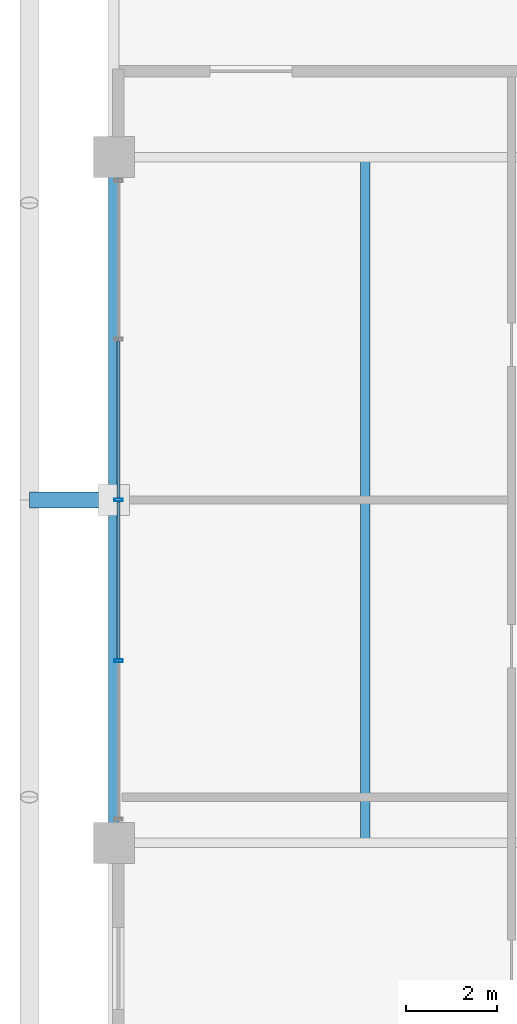
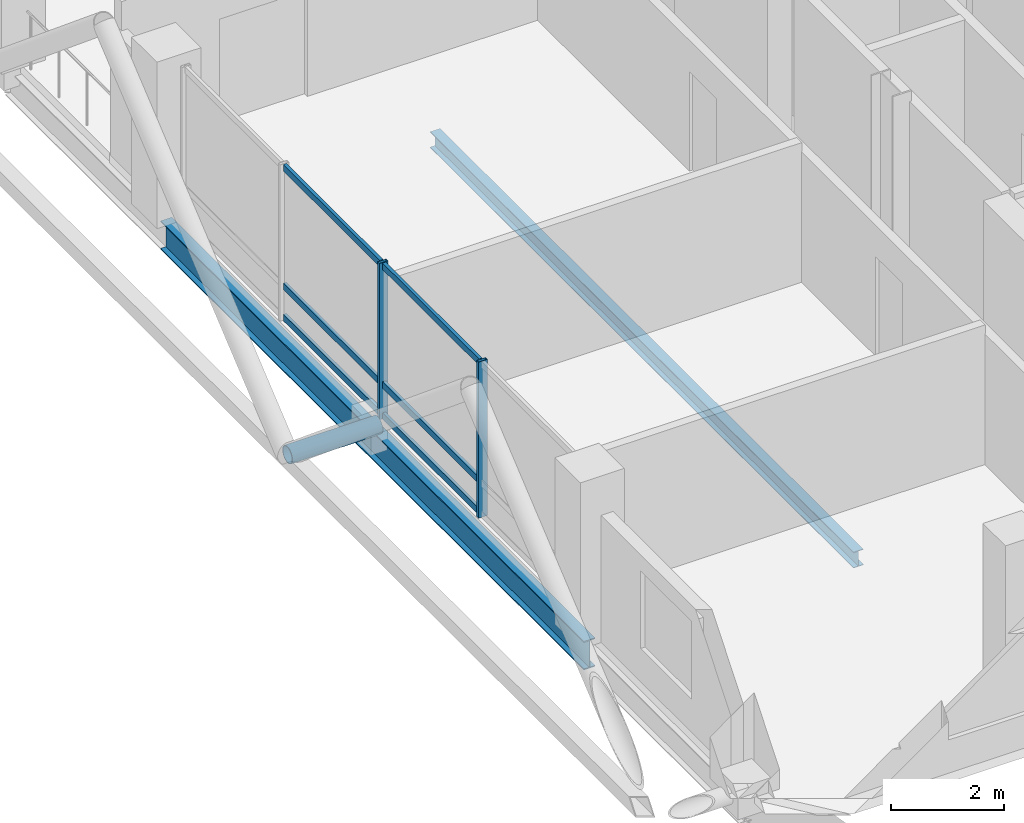
# One storey, part 8 of 21: 9 members, 2 beams, 1 element without a shape of its own.
"""IFC4 building model written with IfcOpenShell, lengths in metres."""

from ifc_helpers import new_model, si_unit, direction, frame, origin, origin_2d, place, context, subcontext, project, spatial, hollow_rectangle, hollow_circle, i_section, extrude, material, layer, layer_set, material_profile, profile_set, type_object, element, aggregate, save


model = new_model("IFC4")

# Units and contexts
model_context = context("Model", 3, precision=1e-05, world=origin(), true_north=direction((0.0, 1.0)))
body_context = subcontext(model_context, "Body", "Model", "MODEL_VIEW")
ifc_project = project(units=[si_unit("LENGTHUNIT", "METRE"), si_unit("AREAUNIT", "SQUARE_METRE"), si_unit("VOLUMEUNIT", "CUBIC_METRE"), si_unit("PLANEANGLEUNIT", "RADIAN"), si_unit("MASSUNIT", "GRAM", prefix="KILO")], contexts=[model_context])

# Site, building, storey
site_placement = place(None, origin())
site = spatial("IfcSite", under=ifc_project, at=site_placement, CompositionType="ELEMENT")
building_placement = place(site_placement, origin())
building = spatial("IfcBuilding", under=site, at=building_placement, Name="Barlavira Tower and Art Museum", CompositionType="ELEMENT")
storey_placement = place(building_placement, frame((0.0, 0.0, 261.89990234375)))
storey = spatial("IfcBuildingStorey", under=building, at=storey_placement, Name="L68", CompositionType="ELEMENT", Elevation=261.89990234375)

# Curtain wall, members
ifc_material_1 = material(Name="Low-iron coastal laminated glass", Category="glass")
ifc_layer = layer(ifc_material_1, 0.2099609375, Name="Low-iron coastal laminated glass")
ifc_layer_set = layer_set([ifc_layer], Name="Low-iron coastal laminated glass")
curtain_wall_type = type_object("IfcCurtainWallType", Name="Pale-Metal Unitised Curtain Wall Zone 4", PredefinedType="NOTDEFINED", material=ifc_layer_set)
curtain_wall_placement = place(storey_placement, origin())
curtain_wall = element("IfcCurtainWall", 1, at=curtain_wall_placement, inside=storey, type_object=curtain_wall_type, Name="L68 Curtain Wall CW4-L68-W-B2", PredefinedType="NOTDEFINED")
ifc_material_2 = material(Name="Pale anodised aluminium", Category="aluminium")
ifc_material_profile_1 = material_profile(ifc_material_2, hollow_rectangle(XDim=0.06494140625, YDim=0.179931640625, WallThickness=0.00390625, at=origin_2d()), Name="ALU-MULL 65x180x4")
ifc_profile_set_1 = profile_set([ifc_material_profile_1], Name="Pale anodised aluminium")
member_type_1 = type_object("IfcMemberType", Name="Curtain Wall Pale-Metal Mullion 65x180", PredefinedType="MULLION", material=ifc_profile_set_1)
member_1_placement = place(storey_placement, frame((-16.89990234375, 0.0, 0.0), z_axis=(0.0, 0.0, 1.0), x_axis=(0.0, -1.0, 0.0)))
member_1 = element("IfcMember", 2, at=member_1_placement, type_object=member_type_1, Name="CW4-L68-W-B2 Mullion 2", PredefinedType="MULLION", context=body_context, shape_type="SweptSolid", body=[
    extrude(hollow_rectangle(XDim=0.06494140625, YDim=0.179931640625, WallThickness=0.00390625, at=origin_2d()), origin(), (0.0, 0.0, 1.0), 3.380126953125),
])
member_2_placement = place(storey_placement, frame((-16.89990234375, -3.514892578125, 0.0), z_axis=(0.0, 0.0, 1.0), x_axis=(0.0, -1.0, 0.0)))
member_2 = element("IfcMember", 3, at=member_2_placement, type_object=member_type_1, Name="CW4-L68-W-B2 Mullion 3", PredefinedType="MULLION", context=body_context, shape_type="SweptSolid", body=[
    extrude(hollow_rectangle(XDim=0.06494140625, YDim=0.179931640625, WallThickness=0.00390625, at=origin_2d()), origin(), (0.0, 0.0, 1.0), 3.380126953125),
])
ifc_material_profile_2 = material_profile(ifc_material_2, hollow_rectangle(XDim=0.06494140625, YDim=0.139892578125, WallThickness=0.00390625, at=origin_2d()), Name="ALU-TRAN 65x140x4")
ifc_profile_set_2 = profile_set([ifc_material_profile_2], Name="Pale anodised aluminium")
member_type_2 = type_object("IfcMemberType", Name="Curtain Wall Pale-Metal Transom 65x140", PredefinedType="USERDEFINED", material=ifc_profile_set_2)
member_3_placement = place(storey_placement, frame((-16.89990234375, 3.469970703125, 0.070068359375), z_axis=(0.0, -1.0, 0.0), x_axis=(1.0, 0.0, 0.0)))
member_3 = element("IfcMember", 4, at=member_3_placement, type_object=member_type_2, Name="CW4-L68-W-B2 Transom 1.1", ObjectType="TRANSOM", PredefinedType="USERDEFINED", context=body_context, shape_type="SweptSolid", body=[
    extrude(hollow_rectangle(XDim=0.06494140625, YDim=0.139892578125, WallThickness=0.00390625, at=origin_2d()), origin(), (0.0, 0.0, 1.0), 3.425048828125),
])
member_4_placement = place(storey_placement, frame((-16.89990234375, 3.469970703125, 0.744140625), z_axis=(0.0, -1.0, 0.0), x_axis=(1.0, 0.0, 0.0)))
member_4 = element("IfcMember", 5, at=member_4_placement, type_object=member_type_2, Name="CW4-L68-W-B2 Transom 1.2", ObjectType="TRANSOM", PredefinedType="USERDEFINED", context=body_context, shape_type="SweptSolid", body=[
    extrude(hollow_rectangle(XDim=0.06494140625, YDim=0.139892578125, WallThickness=0.00390625, at=origin_2d()), origin(), (0.0, 0.0, 1.0), 3.425048828125),
])
member_5_placement = place(storey_placement, frame((-16.89990234375, 3.469970703125, 3.31005859375), z_axis=(0.0, -1.0, 0.0), x_axis=(1.0, 0.0, 0.0)))
member_5 = element("IfcMember", 6, at=member_5_placement, type_object=member_type_2, Name="CW4-L68-W-B2 Transom 1.3", ObjectType="TRANSOM", PredefinedType="USERDEFINED", context=body_context, shape_type="SweptSolid", body=[
    extrude(hollow_rectangle(XDim=0.06494140625, YDim=0.139892578125, WallThickness=0.00390625, at=origin_2d()), origin(), (0.0, 0.0, 1.0), 3.425048828125),
])
member_6_placement = place(storey_placement, frame((-16.89990234375, -0.044921875, 0.070068359375), z_axis=(0.0, -1.0, 0.0), x_axis=(1.0, 0.0, 0.0)))
member_6 = element("IfcMember", 7, at=member_6_placement, type_object=member_type_2, Name="CW4-L68-W-B2 Transom 2.1", ObjectType="TRANSOM", PredefinedType="USERDEFINED", context=body_context, shape_type="SweptSolid", body=[
    extrude(hollow_rectangle(XDim=0.06494140625, YDim=0.139892578125, WallThickness=0.00390625, at=origin_2d()), origin(), (0.0, 0.0, 1.0), 3.425048828125),
])
member_7_placement = place(storey_placement, frame((-16.89990234375, -0.044921875, 0.744140625), z_axis=(0.0, -1.0, 0.0), x_axis=(1.0, 0.0, 0.0)))
member_7 = element("IfcMember", 8, at=member_7_placement, type_object=member_type_2, Name="CW4-L68-W-B2 Transom 2.2", ObjectType="TRANSOM", PredefinedType="USERDEFINED", context=body_context, shape_type="SweptSolid", body=[
    extrude(hollow_rectangle(XDim=0.06494140625, YDim=0.139892578125, WallThickness=0.00390625, at=origin_2d()), origin(), (0.0, 0.0, 1.0), 3.425048828125),
])
member_8_placement = place(storey_placement, frame((-16.89990234375, -0.044921875, 3.31005859375), z_axis=(0.0, -1.0, 0.0), x_axis=(1.0, 0.0, 0.0)))
member_8 = element("IfcMember", 9, at=member_8_placement, type_object=member_type_2, Name="CW4-L68-W-B2 Transom 2.3", ObjectType="TRANSOM", PredefinedType="USERDEFINED", context=body_context, shape_type="SweptSolid", body=[
    extrude(hollow_rectangle(XDim=0.06494140625, YDim=0.139892578125, WallThickness=0.00390625, at=origin_2d()), origin(), (0.0, 0.0, 1.0), 3.425048828125),
])
aggregate(curtain_wall, [member_1, member_2, member_3, member_4, member_5, member_6, member_7, member_8])

# Member
ifc_material_3 = material(Name="Steel S355", Category="steel")
ifc_material_profile_3 = material_profile(ifc_material_3, hollow_circle(Radius=0.177734375, WallThickness=0.01611328125, at=origin_2d()), Name="CHS 355.6x16.0")
ifc_profile_set_3 = profile_set([ifc_material_profile_3], Name="Steel S355")
member_type_3 = type_object("IfcMemberType", Name="Pale-Metal Exoskeleton Tie Strut CHS 356x16 Steel S355", PredefinedType="STRUT", material=ifc_profile_set_3)
member_9_placement = place(storey_placement, frame((-18.85009765625, 0.0, -0.119873046875), z_axis=(1.0, 0.0, 0.0), x_axis=(0.0, 1.0, 0.0)))
element("IfcMember", 10, at=member_9_placement, inside=storey, type_object=member_type_3, Name="L68 Exoskeleton Tie Strut W2", PredefinedType="STRUT", context=body_context, shape_type="SweptSolid", body=[
    extrude(hollow_circle(Radius=0.177734375, WallThickness=0.01611328125, at=origin_2d()), origin(), (0.0, 0.0, 1.0), 1.85009765625),
])

# Beams
ifc_material_profile_4 = material_profile(ifc_material_3, i_section(OverallWidth=0.22998046875, OverallDepth=0.616943359375, WebThickness=0.01318359375, FlangeThickness=0.022216796875, at=origin_2d()), Name="W610x140.0")
ifc_profile_set_4 = profile_set([ifc_material_profile_4], Name="Steel S355")
beam_type_1 = type_object("IfcBeamType", Name="Upper Shaft Spandrel Edge Beam W610x140 Steel S355", PredefinedType="SPANDREL", material=ifc_profile_set_4)
beam_1_placement = place(storey_placement, frame((-17.0, -7.5, -0.5283203125), z_axis=(0.0, 1.0, 0.0), x_axis=(-1.0, 0.0, 0.0)))
element("IfcBeam", 11, at=beam_1_placement, inside=storey, type_object=beam_type_1, Name="L68 Spandrel 14", PredefinedType="SPANDREL", context=body_context, shape_type="SweptSolid", body=[
    extrude(i_section(OverallWidth=0.22998046875, OverallDepth=0.616943359375, WebThickness=0.01318359375, FlangeThickness=0.022216796875, at=origin_2d()), origin(), (0.0, 0.0, 1.0), 15.0),
])
ifc_material_profile_5 = material_profile(ifc_material_3, i_section(OverallWidth=0.202880859375, OverallDepth=0.346923828125, WebThickness=0.0078125, FlangeThickness=0.013427734375, at=origin_2d()), Name="W360x64.0")
ifc_profile_set_5 = profile_set([ifc_material_profile_5], Name="Steel S355")
beam_type_2 = type_object("IfcBeamType", Name="Zone 4 Composite Floor Joist W360x64 Steel S355", PredefinedType="JOIST", material=ifc_profile_set_5)
beam_2_placement = place(storey_placement, frame((-11.5, -7.5, -0.393310546875), z_axis=(0.0, 1.0, 0.0), x_axis=(-1.0, 0.0, 0.0)))
element("IfcBeam", 12, at=beam_2_placement, inside=storey, type_object=beam_type_2, Name="L68 Joist W1", PredefinedType="JOIST", context=body_context, shape_type="SweptSolid", body=[
    extrude(i_section(OverallWidth=0.202880859375, OverallDepth=0.346923828125, WebThickness=0.0078125, FlangeThickness=0.013427734375, at=origin_2d()), origin(), (0.0, 0.0, 1.0), 15.0),
])

save(model, "model.ifc")
